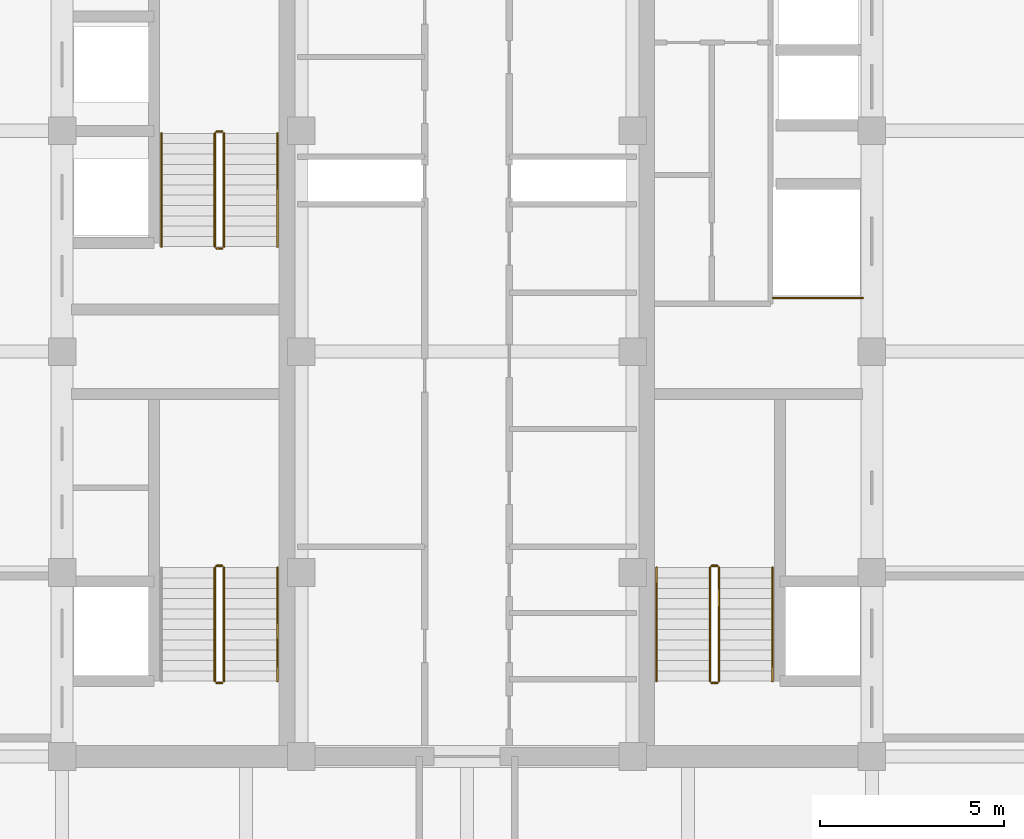
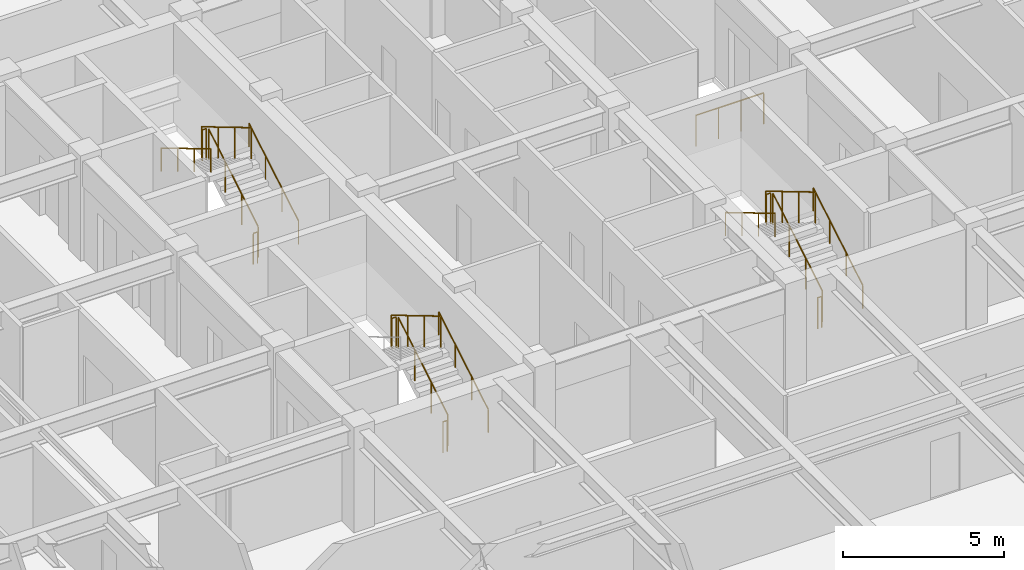
# One storey, part 31 of 32: 18 railings.
"""IFC4 building model written with IfcOpenShell, lengths in metres."""

from ifc_helpers import new_model, si_unit, direction, frame, origin, origin_2d, place, context, subcontext, project, spatial, circle, extrude, source, transform, mapped, material, type_object, element, save


model = new_model("IFC4")

# Units and contexts
model_context = context("Model", 3, precision=1e-05, world=origin(), true_north=direction((0.0, 1.0)))
body_context = subcontext(model_context, "Body", "Model", "MODEL_VIEW")
ifc_project = project(units=[si_unit("LENGTHUNIT", "METRE"), si_unit("AREAUNIT", "SQUARE_METRE"), si_unit("VOLUMEUNIT", "CUBIC_METRE"), si_unit("PLANEANGLEUNIT", "RADIAN"), si_unit("MASSUNIT", "GRAM", prefix="KILO")], contexts=[model_context])

# Site, building, storey
site_placement = place(None, origin())
site = spatial("IfcSite", under=ifc_project, at=site_placement, CompositionType="ELEMENT")
building_placement = place(site_placement, origin())
building = spatial("IfcBuilding", under=site, at=building_placement, Name="Khorayat Bourse Tower", CompositionType="ELEMENT")
storey_placement = place(building_placement, frame((0.0, 0.0, 273.5)))
storey = spatial("IfcBuildingStorey", under=building, at=storey_placement, Name="L64", CompositionType="ELEMENT", Elevation=273.5)

# Railings
ifc_material_1 = material(Name="Powder-coated steel balustrade", Category="steel")
railing_type_1 = type_object("IfcRailingType", Name="RLG-GUARD-1200", PredefinedType="GUARDRAIL", material=ifc_material_1)
shared_shape_1 = source(origin(), body_context, "Body", "SweptSolid", [
    extrude(circle(Radius=0.02392578125, at=origin_2d()), frame((0.0, 0.0, 1.17578125), z_axis=(-1.0, 0.0, 0.0), x_axis=(0.0, -1.0, 0.0)), (0.0, 0.0, 1.0), 0.150146484375),
    extrude(circle(Radius=0.02099609375, at=origin_2d()), origin(), (0.0, 0.0, 1.0), 1.15185546875),
    extrude(circle(Radius=0.02099609375, at=origin_2d()), frame((-0.150146484375, 0.0, 0.0)), (0.0, 0.0, 1.0), 1.15185546875),
])
for number, where, name in (
    (1, (-6.64990234375, -5.820068359375, 2.0), "L64 ST-1 stair guard 2"),
    (2, (-6.64990234375, -9.0, 0.0), "L64 ST-1 stair guard 4"),
    (3, (-6.64990234375, 5.97998046875, 2.0), "L64 ST-2 stair guard 2"),
    (4, (-6.64990234375, 2.800048828125, 0.0), "L64 ST-2 stair guard 4"),
    (5, (6.800048828125, -5.820068359375, 2.0), "L64 ST-3 stair guard 2"),
    (6, (6.800048828125, -9.0, 0.0), "L64 ST-3 stair guard 4"),
):
    element("IfcRailing", number, at=place(storey_placement, frame(where)), inside=storey, type_object=railing_type_1, Name=name, PredefinedType="GUARDRAIL", context=body_context, shape_type="MappedRepresentation", body=[
        mapped(shared_shape_1, transform((0.0, 0.0, 0.0), scale=1.0)),
    ])
shared_shape_2 = source(origin(), body_context, "Body", "SweptSolid", [
    extrude(circle(Radius=0.02392578125, at=origin_2d()), frame((0.0, 0.0, 1.17578125), z_axis=(0.0, 0.859290745958, 0.51148745235), x_axis=(-1.0, 0.0, 0.0)), (0.0, 0.0, 1.0), 3.584228515625),
    extrude(circle(Radius=0.02099609375, at=origin_2d()), origin(), (0.0, 0.0, 1.0), 1.15185546875),
    extrude(circle(Radius=0.02099609375, at=origin_2d()), frame((0.0, 1.026611328125, 0.611083984375)), (0.0, 0.0, 1.0), 1.15185546875),
    extrude(circle(Radius=0.02099609375, at=origin_2d()), frame((0.0, 2.05322265625, 1.22216796875)), (0.0, 0.0, 1.0), 1.15185546875),
    extrude(circle(Radius=0.02099609375, at=origin_2d()), frame((0.0, 3.079833984375, 1.833251953125)), (0.0, 0.0, 1.0), 1.15185546875),
])
for number, where, name in (
    (7, (-6.60009765625, -8.949951171875, 0.166748046875), "L64 ST-1 stair guard 1"),
    (8, (-6.60009765625, 2.85009765625, 0.166748046875), "L64 ST-2 stair guard 1"),
    (9, (6.85009765625, -8.949951171875, 0.166748046875), "L64 ST-3 stair guard 1"),
):
    element("IfcRailing", number, at=place(storey_placement, frame(where)), inside=storey, type_object=railing_type_1, Name=name, PredefinedType="GUARDRAIL", context=body_context, shape_type="MappedRepresentation", body=[
        mapped(shared_shape_2, transform((0.0, 0.0, 0.0), scale=1.0)),
    ])
shared_shape_3 = source(origin(), body_context, "Body", "SweptSolid", [
    extrude(circle(Radius=0.02392578125, at=origin_2d()), frame((0.0, 0.0, 1.17578125), z_axis=(0.0, -0.859290745958, 0.51148745235), x_axis=(1.0, 0.0, 0.0)), (0.0, 0.0, 1.0), 3.584228515625),
    extrude(circle(Radius=0.02099609375, at=origin_2d()), origin(), (0.0, 0.0, 1.0), 1.15185546875),
    extrude(circle(Radius=0.02099609375, at=origin_2d()), frame((0.0, -1.026611328125, 0.611083984375)), (0.0, 0.0, 1.0), 1.15185546875),
    extrude(circle(Radius=0.02099609375, at=origin_2d()), frame((0.0, -2.05322265625, 1.22216796875)), (0.0, 0.0, 1.0), 1.15185546875),
    extrude(circle(Radius=0.02099609375, at=origin_2d()), frame((0.0, -3.079833984375, 1.833251953125)), (0.0, 0.0, 1.0), 1.15185546875),
])
for number, where, name in (
    (10, (-6.85009765625, -5.8701171875, 2.166748046875), "L64 ST-1 stair guard 3"),
    (11, (-6.85009765625, 5.929931640625, 2.166748046875), "L64 ST-2 stair guard 3"),
    (12, (6.60009765625, -5.8701171875, 2.166748046875), "L64 ST-3 stair guard 3"),
):
    element("IfcRailing", number, at=place(storey_placement, frame(where)), inside=storey, type_object=railing_type_1, Name=name, PredefinedType="GUARDRAIL", context=body_context, shape_type="MappedRepresentation", body=[
        mapped(shared_shape_3, transform((0.0, 0.0, 0.0), scale=1.0)),
    ])
ifc_material_2 = material(Name="Brushed bronze stainless-steel handrail", Category="steel")
railing_type_2 = type_object("IfcRailingType", Name="RLG-HAND-900", PredefinedType="HANDRAIL", material=ifc_material_2)
shared_shape_4 = source(origin(), body_context, "Body", "SweptSolid", [
    extrude(circle(Radius=0.02392578125, at=origin_2d()), frame((0.0, 0.0, 0.8759765625), z_axis=(0.0, 0.859290745958, 0.51148745235), x_axis=(-1.0, 0.0, 0.0)), (0.0, 0.0, 1.0), 3.584228515625),
    extrude(circle(Radius=0.02099609375, at=origin_2d()), origin(), (0.0, 0.0, 1.0), 0.851806640625),
    extrude(circle(Radius=0.02099609375, at=origin_2d()), frame((0.0, 1.026611328125, 0.611083984375)), (0.0, 0.0, 1.0), 0.851806640625),
    extrude(circle(Radius=0.02099609375, at=origin_2d()), frame((0.0, 2.05322265625, 1.22216796875)), (0.0, 0.0, 1.0), 0.851806640625),
    extrude(circle(Radius=0.02099609375, at=origin_2d()), frame((0.0, 3.079833984375, 1.833251953125)), (0.0, 0.0, 1.0), 0.851806640625),
])
for number, where, name in (
    (13, (-5.14990234375, -8.949951171875, 0.166748046875), "L64 ST-1 stair handrail 1"),
    (14, (-5.14990234375, 2.85009765625, 0.166748046875), "L64 ST-2 stair handrail 1"),
    (15, (8.300048828125, -8.949951171875, 0.166748046875), "L64 ST-3 stair handrail 1"),
):
    element("IfcRailing", number, at=place(storey_placement, frame(where)), inside=storey, type_object=railing_type_2, Name=name, PredefinedType="HANDRAIL", context=body_context, shape_type="MappedRepresentation", body=[
        mapped(shared_shape_4, transform((0.0, 0.0, 0.0), scale=1.0)),
    ])
shared_shape_5 = source(origin(), body_context, "Body", "SweptSolid", [
    extrude(circle(Radius=0.02392578125, at=origin_2d()), frame((0.0, 0.0, 0.8759765625), z_axis=(0.0, -0.859290745958, 0.51148745235), x_axis=(1.0, 0.0, 0.0)), (0.0, 0.0, 1.0), 3.584228515625),
    extrude(circle(Radius=0.02099609375, at=origin_2d()), origin(), (0.0, 0.0, 1.0), 0.851806640625),
    extrude(circle(Radius=0.02099609375, at=origin_2d()), frame((0.0, -1.026611328125, 0.611083984375)), (0.0, 0.0, 1.0), 0.851806640625),
    extrude(circle(Radius=0.02099609375, at=origin_2d()), frame((0.0, -2.05322265625, 1.22216796875)), (0.0, 0.0, 1.0), 0.851806640625),
    extrude(circle(Radius=0.02099609375, at=origin_2d()), frame((0.0, -3.079833984375, 1.833251953125)), (0.0, 0.0, 1.0), 0.851806640625),
])
for number, where, name in (
    (16, (-8.300048828125, 5.929931640625, 2.166748046875), "L64 ST-2 stair handrail 2"),
    (17, (5.14990234375, -5.8701171875, 2.166748046875), "L64 ST-3 stair handrail 2"),
):
    element("IfcRailing", number, at=place(storey_placement, frame(where)), inside=storey, type_object=railing_type_2, Name=name, PredefinedType="HANDRAIL", context=body_context, shape_type="MappedRepresentation", body=[
        mapped(shared_shape_5, transform((0.0, 0.0, 0.0), scale=1.0)),
    ])
shared_shape_6 = source(origin(), body_context, "Body", "SweptSolid", [
    extrude(circle(Radius=0.02392578125, at=origin_2d()), frame((0.0, 0.0, 1.17578125), z_axis=(1.0, 0.0, 0.0), x_axis=(0.0, 1.0, 0.0)), (0.0, 0.0, 1.0), 2.429931640625),
    extrude(circle(Radius=0.02099609375, at=origin_2d()), origin(), (0.0, 0.0, 1.0), 1.15185546875),
    extrude(circle(Radius=0.02099609375, at=origin_2d()), frame((0.81005859375, 0.0, 0.0)), (0.0, 0.0, 1.0), 1.15185546875),
    extrude(circle(Radius=0.02099609375, at=origin_2d()), frame((1.619873046875, 0.0, 0.0)), (0.0, 0.0, 1.0), 1.15185546875),
    extrude(circle(Radius=0.02099609375, at=origin_2d()), frame((2.429931640625, 0.0, 0.0)), (0.0, 0.0, 1.0), 1.15185546875),
])
railing_placement = place(storey_placement, frame((8.320068359375, 1.4599609375, 0.0)))
element("IfcRailing", 18, at=railing_placement, inside=storey, type_object=railing_type_1, Name="L64 Goods Shaft Opening Guardrail", PredefinedType="GUARDRAIL", context=body_context, shape_type="MappedRepresentation", body=[
    mapped(shared_shape_6, transform((0.0, 0.0, 0.0), scale=1.0)),
])

save(model, "model.ifc")
